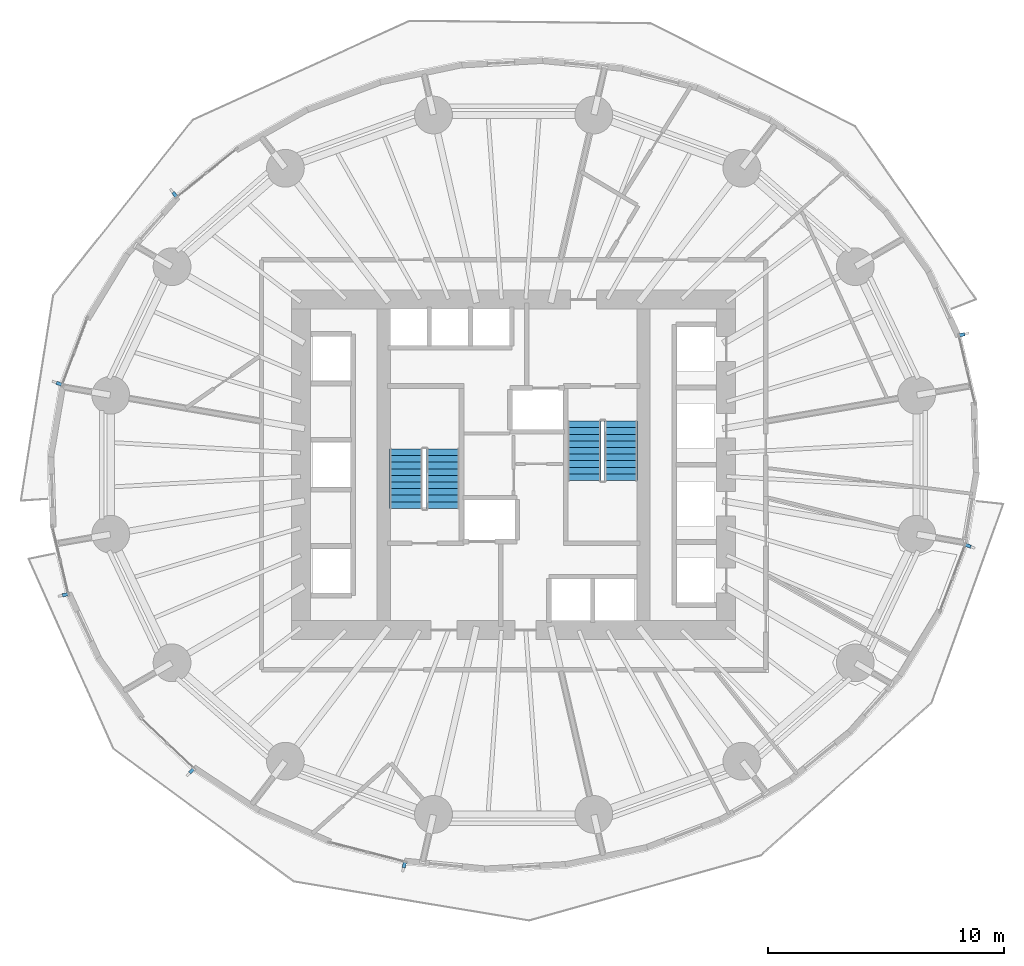
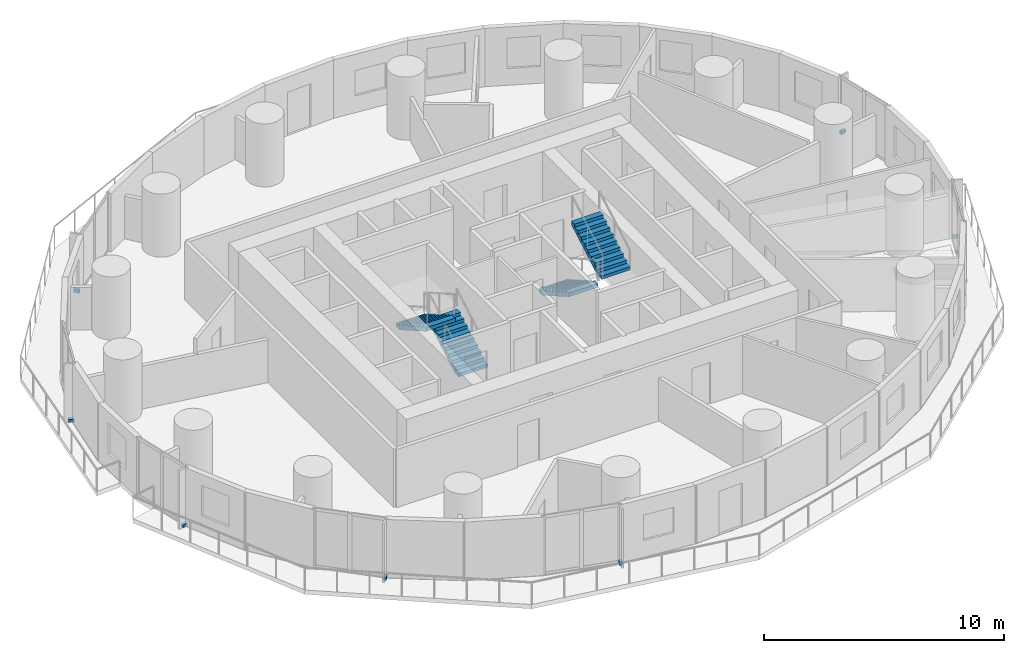
# One storey, part 10 of 14: 7 discrete accessories, 4 stair flights, 2 elements without a shape of their own.
"""IFC4 building model written with IfcOpenShell, lengths in metres."""

from ifc_helpers import new_model, si_unit, direction, frame, origin, origin_2d, place, context, subcontext, project, spatial, polyline, rectangle, outline, extrude, material, type_object, element, aggregate, save


model = new_model("IFC4")

# Units and contexts
model_context = context("Model", 3, precision=1e-05, world=origin(), true_north=direction((0.0, 1.0)))
body_context = subcontext(model_context, "Body", "Model", "MODEL_VIEW")
ifc_project = project(units=[si_unit("LENGTHUNIT", "METRE"), si_unit("AREAUNIT", "SQUARE_METRE"), si_unit("VOLUMEUNIT", "CUBIC_METRE"), si_unit("PLANEANGLEUNIT", "RADIAN"), si_unit("MASSUNIT", "GRAM", prefix="KILO")], contexts=[model_context])

# Site, building, storey
site_placement = place(None, origin())
site = spatial("IfcSite", under=ifc_project, at=site_placement, CompositionType="ELEMENT")
building_placement = place(site_placement, origin())
building = spatial("IfcBuilding", under=site, at=building_placement, Name="Veldorim Arch Residences", CompositionType="ELEMENT")
storey_placement = place(building_placement, frame((0.0, 0.0, 40.800048828125)))
storey = spatial("IfcBuildingStorey", under=building, at=storey_placement, Name="L11", CompositionType="ELEMENT", Elevation=40.800048828125)

# Stair, stair flights
ifc_material_1 = material(Name="Concrete C40/50", Category="concrete")
stair_type = type_object("IfcStairType", Name="Reinforced Concrete Dogleg Exit Staircase", PredefinedType="HALF_TURN_STAIR", material=ifc_material_1)
stair_1_placement = place(storey_placement, origin())
stair_1 = element("IfcStair", 1, at=stair_1_placement, inside=storey, type_object=stair_type, Name="L11 Exit Staircase ST-1", PredefinedType="HALF_TURN_STAIR")
ifc_material_2 = material(Name="Concrete C40/50", Category="concrete")
stair_flight_type = type_object("IfcStairFlightType", Name="Reinforced Concrete Stair Flight 1400", PredefinedType="STRAIGHT", material=ifc_material_2)
stair_flight_1_placement = place(storey_placement, frame((29.010009765625, 22.14990234375, 0.0), z_axis=(0.0, 0.0, 1.0), x_axis=(0.0, 1.0, 0.0)))
stair_flight_1 = element("IfcStairFlight", 2, at=stair_flight_1_placement, type_object=stair_flight_type, Name="ST-1 flight 1", NumberOfRisers=10, NumberOfTreads=9, PredefinedType="STRAIGHT", RiserHeight=0.16, TreadLength=0.28, context=body_context, shape_type="SweptSolid", body=[
    extrude(outline(polyline([(0.0, 0.0), (0.0, 0.159912109375), (0.280029296875, 0.159912109375), (0.280029296875, 0.320068359375), (0.56005859375, 0.320068359375), (0.56005859375, 0.47998046875), (0.840087890625, 0.47998046875), (0.840087890625, 0.639892578125), (1.1201171875, 0.639892578125), (1.1201171875, 0.800048828125), (1.39990234375, 0.800048828125), (1.39990234375, 0.9599609375), (1.679931640625, 0.9599609375), (1.679931640625, 1.1201171875), (1.9599609375, 1.1201171875), (1.9599609375, 1.280029296875), (2.239990234375, 1.280029296875), (2.239990234375, 1.43994140625), (2.52001953125, 1.43994140625), (2.52001953125, 1.60009765625), (2.52001953125, 1.255859375), (0.322265625, 0.0), (0.0, 0.0)])), frame((0.0, 0.699951171875, 0.0), z_axis=(0.0, -1.0, 0.0), x_axis=(1.0, 0.0, 0.0)), (0.0, 0.0, 1.0), 1.39990234375),
])
stair_flight_2_placement = place(storey_placement, frame((27.449951171875, 24.669921875, 1.599853515625), z_axis=(0.0, 0.0, 1.0), x_axis=(0.0, -1.0, 0.0)))
stair_flight_2 = element("IfcStairFlight", 3, at=stair_flight_2_placement, type_object=stair_flight_type, Name="ST-1 flight 2", NumberOfRisers=10, NumberOfTreads=9, PredefinedType="STRAIGHT", RiserHeight=0.16, TreadLength=0.28, context=body_context, shape_type="SweptSolid", body=[
    extrude(outline(polyline([(0.0, 0.0), (0.0, 0.159912109375), (0.280029296875, 0.159912109375), (0.280029296875, 0.320068359375), (0.56005859375, 0.320068359375), (0.56005859375, 0.47998046875), (0.840087890625, 0.47998046875), (0.840087890625, 0.639892578125), (1.1201171875, 0.639892578125), (1.1201171875, 0.800048828125), (1.39990234375, 0.800048828125), (1.39990234375, 0.9599609375), (1.679931640625, 0.9599609375), (1.679931640625, 1.1201171875), (1.9599609375, 1.1201171875), (1.9599609375, 1.280029296875), (2.239990234375, 1.280029296875), (2.239990234375, 1.43994140625), (2.52001953125, 1.43994140625), (2.52001953125, 1.60009765625), (2.52001953125, 1.255859375), (0.322265625, 0.0), (0.0, 0.0)])), frame((0.0, 0.699951171875, 0.0), z_axis=(0.0, -1.0, 0.0), x_axis=(1.0, 0.0, 0.0)), (0.0, 0.0, 1.0), 1.39990234375),
])
aggregate(stair_1, [stair_flight_1, stair_flight_2])

stair_2_placement = place(storey_placement, origin())
stair_2 = element("IfcStair", 4, at=stair_2_placement, inside=storey, type_object=stair_type, Name="L11 Exit Staircase ST-2", PredefinedType="HALF_TURN_STAIR")
stair_flight_3_placement = place(storey_placement, frame((34.989990234375, 25.85009765625, 0.0), z_axis=(0.0, 0.0, 1.0), x_axis=(0.0, -1.0, 0.0)))
stair_flight_3 = element("IfcStairFlight", 5, at=stair_flight_3_placement, type_object=stair_flight_type, Name="ST-2 flight 1", NumberOfRisers=10, NumberOfTreads=9, PredefinedType="STRAIGHT", RiserHeight=0.16, TreadLength=0.28, context=body_context, shape_type="SweptSolid", body=[
    extrude(outline(polyline([(0.0, 0.0), (0.0, 0.159912109375), (0.280029296875, 0.159912109375), (0.280029296875, 0.320068359375), (0.56005859375, 0.320068359375), (0.56005859375, 0.47998046875), (0.840087890625, 0.47998046875), (0.840087890625, 0.639892578125), (1.1201171875, 0.639892578125), (1.1201171875, 0.800048828125), (1.39990234375, 0.800048828125), (1.39990234375, 0.9599609375), (1.679931640625, 0.9599609375), (1.679931640625, 1.1201171875), (1.9599609375, 1.1201171875), (1.9599609375, 1.280029296875), (2.239990234375, 1.280029296875), (2.239990234375, 1.43994140625), (2.52001953125, 1.43994140625), (2.52001953125, 1.60009765625), (2.52001953125, 1.255859375), (0.322265625, 0.0), (0.0, 0.0)])), frame((0.0, 0.699951171875, 0.0), z_axis=(0.0, -1.0, 0.0), x_axis=(1.0, 0.0, 0.0)), (0.0, 0.0, 1.0), 1.39990234375),
])
stair_flight_4_placement = place(storey_placement, frame((36.550048828125, 23.330078125, 1.599853515625), z_axis=(0.0, 0.0, 1.0), x_axis=(0.0, 1.0, 0.0)))
stair_flight_4 = element("IfcStairFlight", 6, at=stair_flight_4_placement, type_object=stair_flight_type, Name="ST-2 flight 2", NumberOfRisers=10, NumberOfTreads=9, PredefinedType="STRAIGHT", RiserHeight=0.16, TreadLength=0.28, context=body_context, shape_type="SweptSolid", body=[
    extrude(outline(polyline([(0.0, 0.0), (0.0, 0.159912109375), (0.280029296875, 0.159912109375), (0.280029296875, 0.320068359375), (0.56005859375, 0.320068359375), (0.56005859375, 0.47998046875), (0.840087890625, 0.47998046875), (0.840087890625, 0.639892578125), (1.1201171875, 0.639892578125), (1.1201171875, 0.800048828125), (1.39990234375, 0.800048828125), (1.39990234375, 0.9599609375), (1.679931640625, 0.9599609375), (1.679931640625, 1.1201171875), (1.9599609375, 1.1201171875), (1.9599609375, 1.280029296875), (2.239990234375, 1.280029296875), (2.239990234375, 1.43994140625), (2.52001953125, 1.43994140625), (2.52001953125, 1.60009765625), (2.52001953125, 1.255859375), (0.322265625, 0.0), (0.0, 0.0)])), frame((0.0, 0.699951171875, 0.0), z_axis=(0.0, -1.0, 0.0), x_axis=(1.0, 0.0, 0.0)), (0.0, 0.0, 1.0), 1.39990234375),
])
aggregate(stair_2, [stair_flight_3, stair_flight_4])

# Discrete accessories
ifc_material_3 = material(Name="Stainless Steel", Category="steel")
discrete_accessory_type = type_object("IfcDiscreteAccessoryType", Name="Stainless Steel Facade Fin Anchor Bracket", PredefinedType="BRACKET", material=ifc_material_3)
for number, where, z_axis, x_axis, name in (
    (7, (50.990478515625, 29.505615234375, -0.02001953125), (0.0, 0.0, 1.0), (0.230219585439, -0.973138706701, 0.0), "L11 stainless fin anchor bracket 01"),
    (8, (17.6455078125, 35.4443359375, -0.02001953125), (0.0, 0.0, 1.0), (0.778571842519, 0.627555484428, 0.0), "L11 stainless fin anchor bracket 13"),
    (9, (12.748779296875, 27.430908203125, -0.02001953125), (0.0, 0.0, 1.0), (0.352984997999, 0.935628981588, 0.0), "L11 stainless fin anchor bracket 16"),
    (10, (13.009521484375, 18.494384765625, -0.02001953125), (0.0, 0.0, 1.0), (-0.230219585439, 0.973138706701, 0.0), "L11 stainless fin anchor bracket 19"),
    (11, (18.3623046875, 11.03271484375, -0.02001953125), (0.0, 0.0, 1.0), (-0.724532846102, 0.689240273721, 0.0), "L11 stainless fin anchor bracket 22"),
    (12, (27.369873046875, 7.048828125, -0.02001953125), (0.0, 0.0, 1.0), (-0.968191325187, 0.250211026602, 0.0), "L11 stainless fin anchor bracket 25"),
    (13, (51.251220703125, 20.569091796875, -0.02001953125), (0.0, 0.0, 1.0), (-0.352984997999, -0.935628981588, 0.0), "L11 stainless fin anchor bracket 34"),
):
    element("IfcDiscreteAccessory", number, at=place(storey_placement, frame(where, z_axis=z_axis, x_axis=x_axis)), inside=storey, type_object=discrete_accessory_type, Name=name, PredefinedType="BRACKET", context=body_context, shape_type="SweptSolid", body=[
        extrude(rectangle(XDim=0.139892578125, YDim=0.239990234375, at=origin_2d()), origin(), (0.0, 0.0, 1.0), 0.159912109375),
    ])

save(model, "model.ifc")
